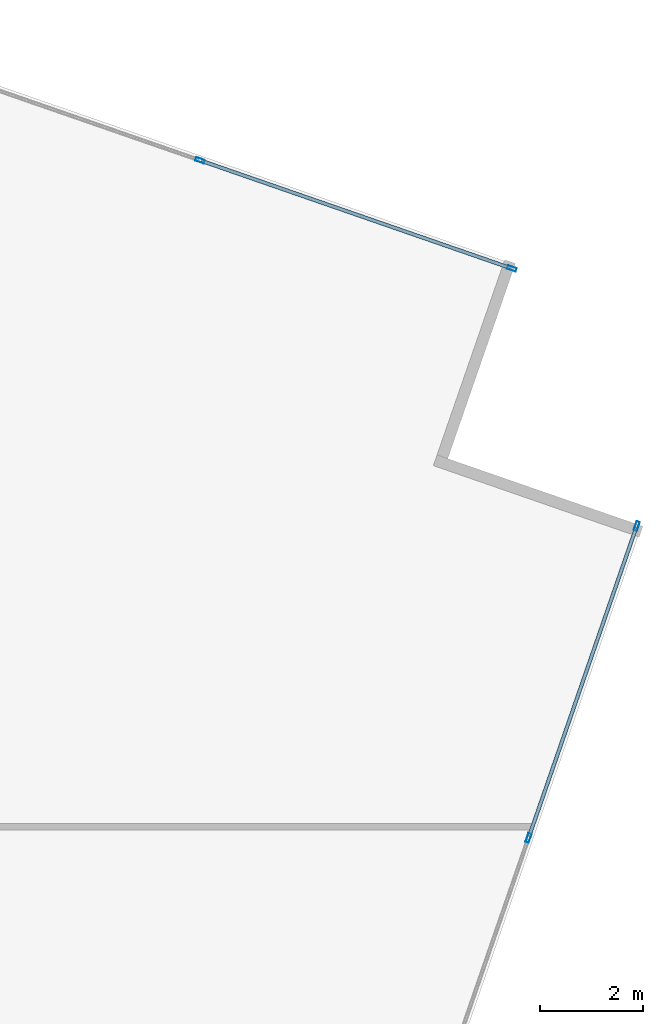
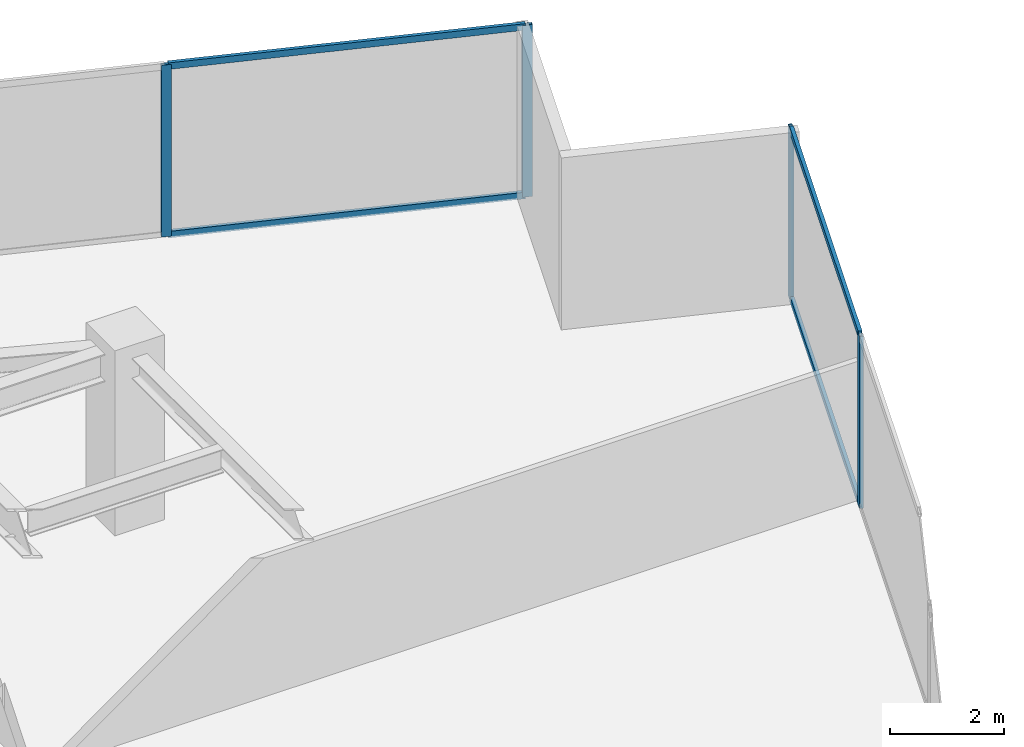
# One storey, part 20 of 27: 8 members, 2 elements without a shape of their own.
"""IFC4 building model written with IfcOpenShell, lengths in metres."""

import ifcopenshell
import ifcopenshell.guid

model = None  # the IFC model being written
_history = None  # IfcOwnerHistory: only IFC2X3 demands one
_inside = {}  # id of a spatial element -> (the spatial element, [elements in it])
_under = {}  # id of a project, library or spatial element -> (it, [spatial elements below it])
_declared = {}  # id of a project -> (the project, [libraries it declares])
_typed = {}  # id of a type object -> (the type object, [elements of that type])
_made_of = {}  # id of a material, layer set ... -> (it, [elements and type objects made of it])


def new_model(schema):
    """Start an empty IFC model of exactly this schema.

    Asked for "IFC4X3", IfcOpenShell would pick the latest addendum, in which some entities
    have other attributes; the version numbers below select the first issue.
    IFC2X3 requires an IfcOwnerHistory on every rooted entity: one is made here for all.
    """
    global model, _history
    if schema == "IFC4X3":
        model = ifcopenshell.file(schema_version=(4, 3, 0, 0))
    else:
        model = ifcopenshell.file(schema=schema)
    _inside.clear()
    _under.clear()
    _declared.clear()
    _typed.clear()
    _made_of.clear()
    _history = None
    if model.schema == "IFC2X3":
        org = make("IfcOrganization", Name="unknown")
        user = make(
            "IfcPersonAndOrganization",
            ThePerson=make("IfcPerson", FamilyName="unknown"),
            TheOrganization=org,
        )
        app = make(
            "IfcApplication",
            ApplicationDeveloper=org,
            Version="unknown",
            ApplicationFullName="unknown",
            ApplicationIdentifier="unknown",
        )
        _history = make(
            "IfcOwnerHistory",
            OwningUser=user,
            OwningApplication=app,
            ChangeAction="ADDED",
            CreationDate=0,
        )
    return model


def make(cls, **values):
    """One entity of the class cls with the attributes given. An attribute that is None is left unset."""
    return model.create_entity(
        cls, **{name: value for name, value in values.items() if value is not None}
    )


def rooted(cls, **values):
    """An entity with a GlobalId (a new one), such as an element, a storey or a relation."""
    return make(cls, GlobalId=ifcopenshell.guid.new(), OwnerHistory=_history, **values)


def si_unit(unit_type, name, prefix=None):
    """IfcSIUnit, for example si_unit("LENGTHUNIT", "METRE", prefix="MILLI")."""
    return make("IfcSIUnit", UnitType=unit_type, Prefix=prefix, Name=name)


def assignment(units):
    """IfcUnitAssignment: the units of a project."""
    return None if units is None else make("IfcUnitAssignment", Units=units)


def point(xyz):
    """IfcCartesianPoint."""
    return None if xyz is None else make("IfcCartesianPoint", Coordinates=xyz)


def direction(xyz):
    """IfcDirection."""
    return None if xyz is None else make("IfcDirection", DirectionRatios=xyz)


def frame(location, z_axis=None, x_axis=None):
    """IfcAxis2Placement3D, a coordinate frame: its origin and axes. An axis left out is left unset."""
    return make(
        "IfcAxis2Placement3D",
        Location=point(location),
        Axis=direction(z_axis),
        RefDirection=direction(x_axis),
    )


def frame_2d(location, x_axis=None):
    """IfcAxis2Placement2D, a coordinate frame in the plane: its origin and x axis."""
    return make(
        "IfcAxis2Placement2D", Location=point(location), RefDirection=direction(x_axis)
    )


def origin():
    """The frame at (0, 0, 0) with its axes left unset."""
    return frame((0.0, 0.0, 0.0))


def origin_2d():
    """The frame at (0, 0) in the plane with its x axis left unset."""
    return frame_2d((0.0, 0.0))


def place(relative_to, where):
    """IfcLocalPlacement: puts the frame where relative to a parent placement (None: the world)."""
    return make(
        "IfcLocalPlacement", PlacementRelTo=relative_to, RelativePlacement=where
    )


def context(
    kind, dimensions, precision=None, world=None, true_north=None, identifier=None
):
    """IfcGeometricRepresentationContext, for example the 3D "Model" context."""
    return make(
        "IfcGeometricRepresentationContext",
        ContextIdentifier=identifier,
        ContextType=kind,
        CoordinateSpaceDimension=dimensions,
        Precision=precision,
        WorldCoordinateSystem=world,
        TrueNorth=true_north,
    )


def subcontext(parent, identifier, kind, view, scale=None):
    """IfcGeometricRepresentationSubContext, for example "Body" below "Model"."""
    return make(
        "IfcGeometricRepresentationSubContext",
        ContextIdentifier=identifier,
        ContextType=kind,
        ParentContext=parent,
        TargetScale=scale,
        TargetView=view,
    )


def project(units=None, contexts=None):
    """IfcProject with its units and contexts."""
    return rooted(
        "IfcProject",
        Name="project",
        RepresentationContexts=contexts,
        UnitsInContext=assignment(units),
    )


def spatial(cls, under=None, at=None, **own):
    """A site, building, storey or space (cls), placed at a placement, below another one or the project."""
    s = rooted(cls, ObjectPlacement=at, **own)
    if under is not None:
        _under.setdefault(under.id(), (under, []))[1].append(s)
    return s


def profile(cls, at=None, kind="AREA", **sizes):
    """A parametric profile (cls). Its sizes go by their IFC names, for example OverallWidth=200.0."""
    return make(cls, ProfileType=kind, Position=at, **sizes)


def hollow_rectangle(**sizes):
    """IfcRectangleHollowProfileDef."""
    return profile("IfcRectangleHollowProfileDef", **sizes)


def extrude(swept, where, along, depth):
    """IfcExtrudedAreaSolid: the profile swept, set in the frame where, extruded along a direction by depth."""
    return make(
        "IfcExtrudedAreaSolid",
        SweptArea=swept,
        Position=where,
        ExtrudedDirection=direction(along),
        Depth=depth,
    )


def shape(context_of_items, identifier, shape_type, items):
    """IfcShapeRepresentation: the items that make up one representation, for example the "Body"."""
    return make(
        "IfcShapeRepresentation",
        ContextOfItems=context_of_items,
        RepresentationIdentifier=identifier,
        RepresentationType=shape_type,
        Items=items,
    )


def source(mapping_origin, context_of_items, identifier, shape_type, items):
    """IfcRepresentationMap: a shape defined once, which mapped items show again and again."""
    return make(
        "IfcRepresentationMap",
        MappingOrigin=mapping_origin,
        MappedRepresentation=shape(context_of_items, identifier, shape_type, items),
    )


def transform(
    local_origin,
    x_axis=None,
    y_axis=None,
    z_axis=None,
    scale=None,
    scale2=None,
    scale3=None,
    uniform=True,
):
    """IfcCartesianTransformationOperator3D, or its non-uniform kind. x_axis, y_axis, z_axis: its Axis1, 2, 3."""
    if uniform:
        return make(
            "IfcCartesianTransformationOperator3D",
            Axis1=direction(x_axis),
            Axis2=direction(y_axis),
            LocalOrigin=point(local_origin),
            Scale=scale,
            Axis3=direction(z_axis),
        )
    return make(
        "IfcCartesianTransformationOperator3DnonUniform",
        Axis1=direction(x_axis),
        Axis2=direction(y_axis),
        LocalOrigin=point(local_origin),
        Scale=scale,
        Axis3=direction(z_axis),
        Scale2=scale2,
        Scale3=scale3,
    )


def mapped(mapping_source, mapping_target):
    """IfcMappedItem: shows the shape of a source again, moved by a transform."""
    return make(
        "IfcMappedItem", MappingSource=mapping_source, MappingTarget=mapping_target
    )


def material(Name=None, Category=None):
    """IfcMaterial."""
    return make("IfcMaterial", Name=Name, Category=Category)


def material_profile(
    of_material, cross_section, Name=None, Category=None, Priority=None
):
    """IfcMaterialProfile: a cross section and its material."""
    return make(
        "IfcMaterialProfile",
        Name=Name,
        Material=of_material,
        Profile=cross_section,
        Priority=Priority,
        Category=Category,
    )


def profile_set(profiles, Name=None, composite=None):
    """IfcMaterialProfileSet."""
    return make(
        "IfcMaterialProfileSet",
        Name=Name,
        MaterialProfiles=profiles,
        CompositeProfile=composite,
    )


def made_of(thing, what):
    """Note that an element or type object is made of a material, layer set ...; save() writes the relation."""
    if what is not None:
        _made_of.setdefault(what.id(), (what, []))[1].append(thing)
    return thing


def type_object(cls, material=None, **own):
    """A type object (cls), such as IfcWallType, which elements share."""
    return made_of(rooted(cls, **own), material)


def type_shapes(of_type, sources):
    """Give a type object the sources (RepresentationMaps) that its elements show as mapped items."""
    of_type.RepresentationMaps = sources


def element(
    cls,
    number,
    at=None,
    inside=None,
    cuts=None,
    type_object=None,
    material=None,
    context=None,
    identifier="Body",
    shape_type=None,
    held_by="IfcProductDefinitionShape",
    body=None,
    shapes=None,
    **own,
):
    """One element of the class cls, such as IfcWall. Its Tag is "e" and its number.

    at: its placement. inside: the storey or other place that contains it. cuts: it is an
    opening in that element (IfcRelVoidsElement). A single representation is given by context,
    identifier, shape_type and body (its items); several are given by shapes. held_by: the class
    of the entity that holds the representations. save() writes the other relations.
    """
    e = rooted(cls, Tag="e%d" % number, ObjectPlacement=at, **own)
    if body is not None:
        shapes = [shape(context, identifier, shape_type, body)]
    if shapes is not None:
        e.Representation = make(held_by, Representations=shapes)
    if inside is not None:
        _inside.setdefault(inside.id(), (inside, []))[1].append(e)
    if cuts is not None:
        rooted(
            "IfcRelVoidsElement", RelatingBuildingElement=cuts, RelatedOpeningElement=e
        )
    if type_object is not None:
        _typed.setdefault(type_object.id(), (type_object, []))[1].append(e)
    return made_of(e, material)


def aggregate(whole, parts):
    """IfcRelAggregates: a whole, such as a stair, and the parts it consists of."""
    return rooted("IfcRelAggregates", RelatingObject=whole, RelatedObjects=parts)


def save(model, path):
    """Write the relations noted so far, then the file.

    IfcRelAggregates (storeys below a building ...), IfcRelContainedInSpatialStructure (elements
    in a storey), IfcRelDefinesByType, IfcRelAssociatesMaterial and IfcRelDeclares: one each for
    every whole, place, type object, material and project.
    """
    for whole, parts in _under.values():
        aggregate(whole, parts)
    for where, things in _inside.values():
        rooted(
            "IfcRelContainedInSpatialStructure",
            RelatedElements=things,
            RelatingStructure=where,
        )
    for kind, things in _typed.values():
        rooted("IfcRelDefinesByType", RelatedObjects=things, RelatingType=kind)
    for what, things in _made_of.values():
        rooted("IfcRelAssociatesMaterial", RelatedObjects=things, RelatingMaterial=what)
    for by, libraries in _declared.values():
        rooted("IfcRelDeclares", RelatingContext=by, RelatedDefinitions=libraries)
    model.write(path)


model = new_model("IFC4")

# Units and contexts
model_context = context("Model", 3, precision=1e-05, world=origin(), true_north=direction((0.0, 1.0)))
body_context = subcontext(model_context, "Body", "Model", "MODEL_VIEW")
ifc_project = project(units=[si_unit("LENGTHUNIT", "METRE"), si_unit("AREAUNIT", "SQUARE_METRE"), si_unit("VOLUMEUNIT", "CUBIC_METRE"), si_unit("PLANEANGLEUNIT", "RADIAN"), si_unit("MASSUNIT", "GRAM", prefix="KILO")], contexts=[model_context])

# Site, building, storey
site_placement = place(None, origin())
site = spatial("IfcSite", under=ifc_project, at=site_placement, CompositionType="ELEMENT")
building_placement = place(site_placement, origin())
building = spatial("IfcBuilding", under=site, at=building_placement, Name="Krantzveldt Concourse Tower", CompositionType="ELEMENT")
storey_placement = place(building_placement, frame((0.0, 0.0, 125.60009765625)))
storey = spatial("IfcBuildingStorey", under=building, at=storey_placement, Name="L30", CompositionType="ELEMENT", Elevation=125.60009765625)

# Curtain wall, members
ifc_material = material(Name="Anodised aluminium 6063-T6", Category="aluminium")
curtain_wall_type = type_object("IfcCurtainWallType", Name="CW2", PredefinedType="USERDEFINED", material=ifc_material)
curtain_wall_1_placement = place(storey_placement, origin())
curtain_wall_1 = element("IfcCurtainWall", 1, at=curtain_wall_1_placement, inside=storey, type_object=curtain_wall_type, Name="CW-L30-F07", ObjectType="UNITISED CURTAIN WALL", PredefinedType="USERDEFINED")
ifc_material_profile_1 = material_profile(ifc_material, hollow_rectangle(XDim=0.070068359375, YDim=0.179931640625, WallThickness=0.0048828125, at=origin_2d()), Name="Anodised aluminium 6063-T6", Category="aluminium")
ifc_profile_set_1 = profile_set([ifc_material_profile_1], Name="Anodised aluminium 6063-T6 - ALU-MULL 180x70x5")
member_type_1 = type_object("IfcMemberType", Name="CW-MUL-180", PredefinedType="MULLION", material=ifc_profile_set_1)
shared_shape_1 = source(origin(), body_context, "Body", "SweptSolid", [
    extrude(hollow_rectangle(XDim=0.070068359375, YDim=0.179931640625, WallThickness=0.0048828125, at=origin_2d()), origin(), (0.0, 0.0, 1.0), 3.669921875),
])
type_shapes(member_type_1, [shared_shape_1])
member_1_placement = place(storey_placement, frame((62.2607421875, 31.282470703125, 0.0), z_axis=(0.0, 0.0, 1.0), x_axis=(-0.944806041446, 0.32763019404, 0.0)))
member_1 = element("IfcMember", 2, at=member_1_placement, type_object=member_type_1, Name="CW-Z12 mullion 6", PredefinedType="MULLION", context=body_context, shape_type="MappedRepresentation", body=[
    mapped(shared_shape_1, transform((0.0, 0.0, 0.0), x_axis=(1.0, 0.0, 0.0), y_axis=(0.0, 1.0, 0.0), z_axis=(0.0, 0.0, 1.0), scale=1.0)),
])
member_2_placement = place(storey_placement, frame((64.367919921875, 37.359130859375, 0.0), z_axis=(0.0, 0.0, 1.0), x_axis=(-0.944806041446, 0.32763019404, 0.0)))
member_2 = element("IfcMember", 3, at=member_2_placement, type_object=member_type_1, Name="CW-Z12 mullion 7", PredefinedType="MULLION", context=body_context, shape_type="MappedRepresentation", body=[
    mapped(shared_shape_1, transform((0.0, 0.0, 0.0), x_axis=(1.0, 0.0, 0.0), y_axis=(0.0, 1.0, 0.0), z_axis=(0.0, 0.0, 1.0), scale=1.0)),
])

curtain_wall_2_placement = place(storey_placement, origin())
curtain_wall_2 = element("IfcCurtainWall", 4, at=curtain_wall_2_placement, inside=storey, type_object=curtain_wall_type, Name="CW-L30-F10", ObjectType="UNITISED CURTAIN WALL", PredefinedType="USERDEFINED")
member_3_placement = place(storey_placement, frame((61.93310546875, 42.37890625, 0.0), z_axis=(0.0, 0.0, 1.0), x_axis=(-0.32763019404, -0.944806041446, 0.0)))
member_3 = element("IfcMember", 5, at=member_3_placement, type_object=member_type_1, Name="CW-Z12 mullion 1", PredefinedType="MULLION", context=body_context, shape_type="MappedRepresentation", body=[
    mapped(shared_shape_1, transform((0.0, 0.0, 0.0), x_axis=(1.0, 0.0, 0.0), y_axis=(0.0, 1.0, 0.0), z_axis=(0.0, 0.0, 1.0), scale=1.0)),
])
member_4_placement = place(storey_placement, frame((55.8564453125, 44.486083984375, 0.0), z_axis=(0.0, 0.0, 1.0), x_axis=(-0.32763019404, -0.944806041446, 0.0)))
member_4 = element("IfcMember", 6, at=member_4_placement, type_object=member_type_1, Name="CW-Z12 mullion 2", PredefinedType="MULLION", context=body_context, shape_type="MappedRepresentation", body=[
    mapped(shared_shape_1, transform((0.0, 0.0, 0.0), x_axis=(1.0, 0.0, 0.0), y_axis=(0.0, 1.0, 0.0), z_axis=(0.0, 0.0, 1.0), scale=1.0)),
])

# Member
ifc_material_profile_2 = material_profile(ifc_material, hollow_rectangle(XDim=0.070068359375, YDim=0.139892578125, WallThickness=0.0048828125, at=origin_2d()), Name="Anodised aluminium 6063-T6", Category="aluminium")
ifc_profile_set_2 = profile_set([ifc_material_profile_2], Name="Anodised aluminium 6063-T6 - ALU-TRAN 140x70x5")
member_type_2 = type_object("IfcMemberType", Name="CW-TRN-150", PredefinedType="USERDEFINED", material=ifc_profile_set_2)
shared_shape_2 = source(origin(), body_context, "Body", "SweptSolid", [
    extrude(hollow_rectangle(XDim=0.070068359375, YDim=0.139892578125, WallThickness=0.0048828125, at=origin_2d()), origin(), (0.0, 0.0, 1.0), 6.361572265625),
])
type_shapes(member_type_2, [shared_shape_2])
member_5_placement = place(storey_placement, frame((62.272216796875, 31.3154296875, 0.034912109375), z_axis=(0.327625894764, 0.944807532294, 0.0), x_axis=(-0.944807532294, 0.327625894764, 0.0)))
member_5 = element("IfcMember", 7, at=member_5_placement, type_object=member_type_2, Name="CW-Z12 transom 6.1", ObjectType="TRANSOM", PredefinedType="USERDEFINED", context=body_context, shape_type="MappedRepresentation", body=[
    mapped(shared_shape_2, transform((0.0, 0.0, 0.0), x_axis=(1.0, 0.0, 0.0), y_axis=(0.0, 1.0, 0.0), z_axis=(0.0, 0.0, 1.0), scale=1.0)),
])

member_6_placement = place(storey_placement, frame((62.272216796875, 31.3154296875, 3.635009765625), z_axis=(0.327625894764, 0.944807532294, 0.0), x_axis=(-0.944807532294, 0.327625894764, 0.0)))
member_6 = element("IfcMember", 8, at=member_6_placement, type_object=member_type_2, Name="CW-Z12 transom 6.2", ObjectType="TRANSOM", PredefinedType="USERDEFINED", context=body_context, shape_type="MappedRepresentation", body=[
    mapped(shared_shape_2, transform((0.0, 0.0, 0.0), x_axis=(1.0, 0.0, 0.0), y_axis=(0.0, 1.0, 0.0), z_axis=(0.0, 0.0, 1.0), scale=1.0)),
])

aggregate(curtain_wall_1, [member_1, member_2, member_5, member_6])

member_7_placement = place(storey_placement, frame((61.900146484375, 42.390380859375, 0.034912109375), z_axis=(-0.944807532294, 0.327625894764, 0.0), x_axis=(-0.327625894764, -0.944807532294, 0.0)))
member_7 = element("IfcMember", 9, at=member_7_placement, type_object=member_type_2, Name="CW-Z12 transom 1.1", ObjectType="TRANSOM", PredefinedType="USERDEFINED", context=body_context, shape_type="MappedRepresentation", body=[
    mapped(shared_shape_2, transform((0.0, 0.0, 0.0), x_axis=(1.0, 0.0, 0.0), y_axis=(0.0, 1.0, 0.0), z_axis=(0.0, 0.0, 1.0), scale=1.0)),
])

member_8_placement = place(storey_placement, frame((61.900146484375, 42.390380859375, 3.635009765625), z_axis=(-0.944807532294, 0.327625894764, 0.0), x_axis=(-0.327625894764, -0.944807532294, 0.0)))
member_8 = element("IfcMember", 10, at=member_8_placement, type_object=member_type_2, Name="CW-Z12 transom 1.2", ObjectType="TRANSOM", PredefinedType="USERDEFINED", context=body_context, shape_type="MappedRepresentation", body=[
    mapped(shared_shape_2, transform((0.0, 0.0, 0.0), x_axis=(1.0, 0.0, 0.0), y_axis=(0.0, 1.0, 0.0), z_axis=(0.0, 0.0, 1.0), scale=1.0)),
])

aggregate(curtain_wall_2, [member_3, member_4, member_7, member_8])

save(model, "model.ifc")
